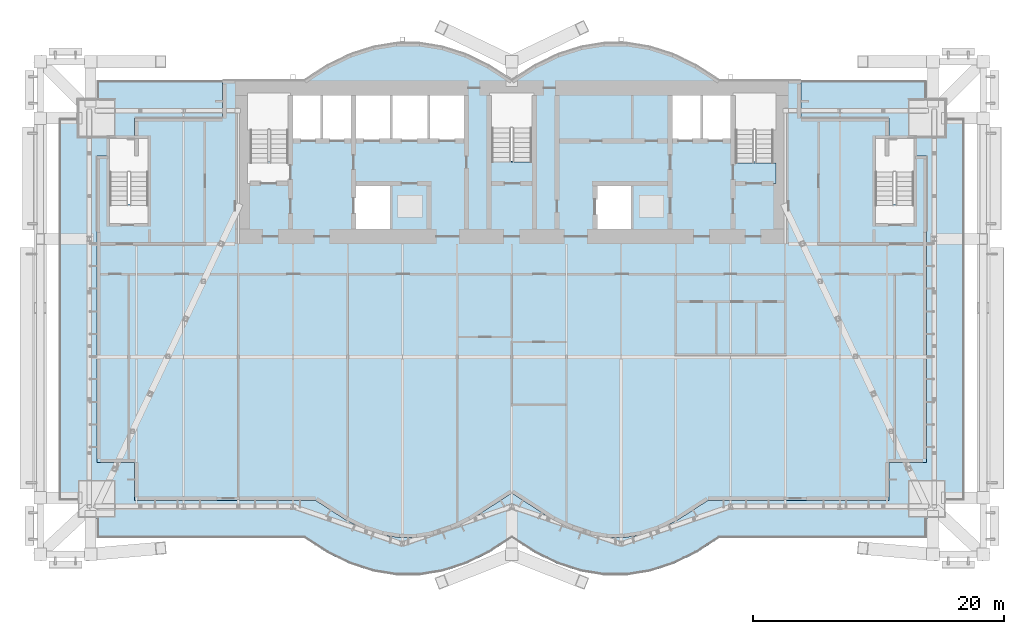
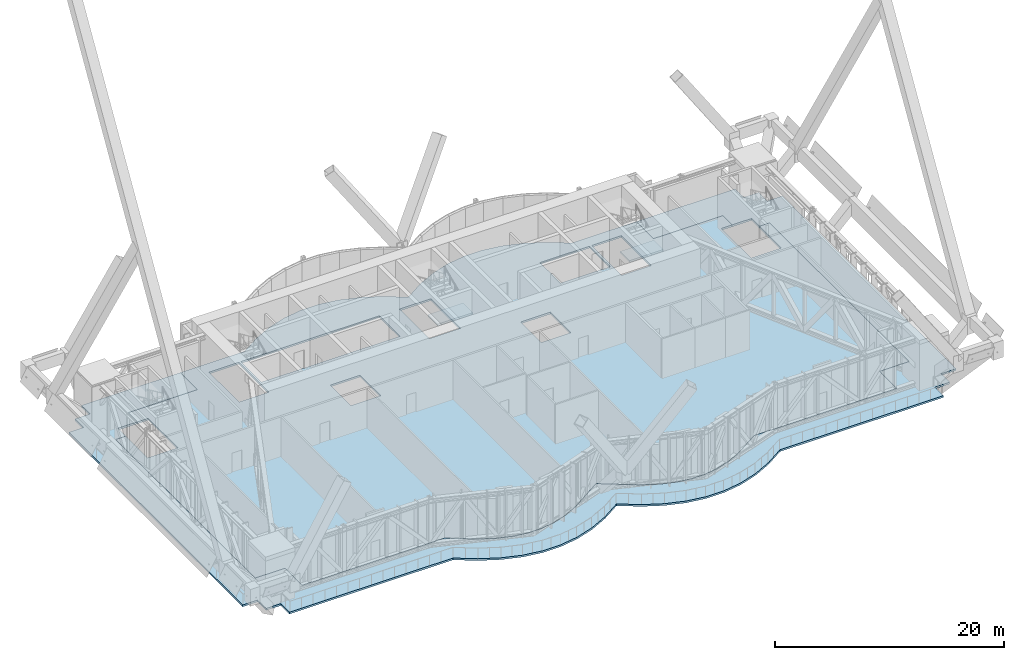
# One storey, part 21 of 32: 4 slabs, 2 elements without a shape of their own.
"""IFC4 building model written with IfcOpenShell, lengths in metres."""

from ifc_helpers import new_model, si_unit, direction, frame, origin, place, context, subcontext, project, spatial, polyline, outline, extrude, material, layer, layer_set, type_object, element, aggregate, save


model = new_model("IFC4")

# Units and contexts
model_context = context("Model", 3, precision=1e-05, world=origin(), true_north=direction((0.0, 1.0)))
body_context = subcontext(model_context, "Body", "Model", "MODEL_VIEW")
ifc_project = project(units=[si_unit("LENGTHUNIT", "METRE"), si_unit("AREAUNIT", "SQUARE_METRE"), si_unit("VOLUMEUNIT", "CUBIC_METRE"), si_unit("PLANEANGLEUNIT", "RADIAN"), si_unit("MASSUNIT", "GRAM", prefix="KILO")], contexts=[model_context])

# Site, building, storey
site_placement = place(None, origin())
site = spatial("IfcSite", under=ifc_project, at=site_placement, CompositionType="ELEMENT")
building_placement = place(site_placement, origin())
building = spatial("IfcBuilding", under=site, at=building_placement, Name="Bicima Exchange Tower", CompositionType="ELEMENT")
storey_placement = place(building_placement, frame((0.0, 0.0, 135.0)))
storey = spatial("IfcBuildingStorey", under=building, at=storey_placement, Name="L29", CompositionType="ELEMENT", Elevation=135.0)

# Slabs
ifc_material_1 = material(Name="Concrete C40/50", Category="concrete")
ifc_layer_1 = layer(ifc_material_1, 0.199951171875)
ifc_layer_set_1 = layer_set([ifc_layer_1], Name="Concrete C40/50")
slab_type_1 = type_object("IfcSlabType", Name="Composite refuge floor slab 200", PredefinedType="FLOOR", material=ifc_layer_set_1)
slab_1_placement = place(storey_placement, frame((0.0, 0.0, -0.199951171875)))
element("IfcSlab", 1, at=slab_1_placement, inside=storey, type_object=slab_type_1, Name="Floor slab", PredefinedType="FLOOR", context=body_context, shape_type="SweptSolid", body=[
    extrude(outline(polyline([(33.0, -6.0), (33.0, -30.387939453125), (30.0, -30.387939453125), (30.0, -33.387939453125), (15.61474609375, -33.387939453125), (13.1923828125, -34.9541015625), (11.712158203125, -35.671630859375), (10.295166015625, -36.129638671875), (8.92578125, -36.35107421875), (7.57421875, -36.35107421875), (6.204833984375, -36.129638671875), (4.787841796875, -35.671630859375), (3.3076171875, -34.9541015625), (0.0, -32.815673828125), (-3.3076171875, -34.9541015625), (-4.787841796875, -35.671630859375), (-6.204833984375, -36.129638671875), (-7.57421875, -36.35107421875), (-8.92578125, -36.35107421875), (-10.295166015625, -36.129638671875), (-11.712158203125, -35.671630859375), (-13.1923828125, -34.9541015625), (-15.61474609375, -33.387939453125), (-30.0, -33.387939453125), (-30.0, -30.387939453125), (-33.0, -30.387939453125), (-33.0, -6.0), (-31.97509765625, -6.0), (-31.97509765625, -9.824951171875), (-28.925048828125, -9.824951171875), (-28.925048828125, -4.625), (-30.0, -4.625), (-30.0, -3.0), (-23.0, -3.0), (-23.0, 0.0), (-16.5, 0.0), (-14.666748046875, 1.185302734375), (-12.833251953125, 2.07421875), (-11.0, 2.666748046875), (-9.166748046875, 2.962890625), (-7.333251953125, 2.962890625), (-5.5, 2.666748046875), (-3.666748046875, 2.07421875), (-1.833251953125, 1.185302734375), (0.0, 0.0), (1.833251953125, 1.185302734375), (3.666748046875, 2.07421875), (5.5, 2.666748046875), (7.333251953125, 2.962890625), (9.166748046875, 2.962890625), (11.0, 2.666748046875), (12.833251953125, 2.07421875), (14.666748046875, 1.185302734375), (16.5, 0.0), (23.0, 0.0), (23.0, -3.0), (30.0, -3.0), (30.0, -4.625), (28.925048828125, -4.625), (28.925048828125, -9.824951171875), (31.97509765625, -9.824951171875), (31.97509765625, -6.0), (33.0, -6.0)]), holes=[polyline([(-9.60009765625, -11.800048828125), (-9.60009765625, -8.199951171875), (-12.60009765625, -8.199951171875), (-12.60009765625, -11.800048828125), (-9.60009765625, -11.800048828125)]), polyline([(-20.800048828125, -6.449951171875), (-17.800048828125, -6.449951171875), (-17.800048828125, -1.199951171875), (-20.800048828125, -1.199951171875), (-20.800048828125, -6.449951171875)]), polyline([(-9.60009765625, -1.199951171875), (-12.60009765625, -1.199951171875), (-15.10009765625, -1.199951171875), (-17.60009765625, -1.199951171875), (-17.60009765625, -4.800048828125), (-15.10009765625, -4.800048828125), (-12.60009765625, -4.800048828125), (-9.60009765625, -4.800048828125), (-6.60009765625, -4.800048828125), (-3.60009765625, -4.800048828125), (-3.60009765625, -1.199951171875), (-6.60009765625, -1.199951171875), (-9.60009765625, -1.199951171875)]), polyline([(9.60009765625, -11.800048828125), (9.60009765625, -8.199951171875), (6.60009765625, -8.199951171875), (6.60009765625, -11.800048828125), (9.60009765625, -11.800048828125)]), polyline([(17.800048828125, -6.449951171875), (20.800048828125, -6.449951171875), (20.800048828125, -1.199951171875), (17.800048828125, -1.199951171875), (17.800048828125, -6.449951171875)]), polyline([(-1.574951171875, -6.39990234375), (1.574951171875, -6.39990234375), (1.574951171875, -1.199951171875), (-1.574951171875, -1.199951171875), (-1.574951171875, -6.39990234375)]), polyline([(17.60009765625, -4.800048828125), (17.60009765625, -1.199951171875), (15.10009765625, -1.199951171875), (12.60009765625, -1.199951171875), (12.60009765625, -4.800048828125), (15.10009765625, -4.800048828125), (17.60009765625, -4.800048828125)])]), origin(), (0.0, 0.0, 1.0), 0.199951171875),
])
slab_2_placement = place(storey_placement, frame((0.0, 0.0, -0.199951171875)))
element("IfcSlab", 2, at=slab_2_placement, inside=storey, type_object=slab_type_1, Name="Refuge terrace slab", PredefinedType="FLOOR", context=body_context, shape_type="SweptSolid", body=[
    extrude(outline(polyline([(30.0, -3.0), (23.0, -3.0), (23.0, 0.0), (33.0, 0.0), (33.0, -1.5), (34.5, -1.5), (34.5, -3.0), (36.0, -3.0), (36.0, -33.387939453125), (34.5, -33.387939453125), (34.5, -34.887939453125), (33.0, -34.887939453125), (33.0, -36.387939453125), (16.5, -36.387939453125), (14.666748046875, -37.5732421875), (12.833251953125, -38.462158203125), (11.0, -39.0546875), (9.166748046875, -39.35107421875), (7.333251953125, -39.35107421875), (5.5, -39.0546875), (3.666748046875, -38.462158203125), (1.833251953125, -37.5732421875), (0.0, -36.387939453125), (-1.833251953125, -37.5732421875), (-3.666748046875, -38.462158203125), (-5.5, -39.0546875), (-7.333251953125, -39.35107421875), (-9.166748046875, -39.35107421875), (-11.0, -39.0546875), (-12.833251953125, -38.462158203125), (-14.666748046875, -37.5732421875), (-16.5, -36.387939453125), (-33.0, -36.387939453125), (-33.0, -34.887939453125), (-34.5, -34.887939453125), (-34.5, -33.387939453125), (-36.0, -33.387939453125), (-36.0, -3.0), (-34.5, -3.0), (-34.5, -1.5), (-33.0, -1.5), (-33.0, 0.0), (-23.0, 0.0), (-23.0, -3.0), (-30.0, -3.0), (-30.0, -4.625), (-31.97509765625, -4.625), (-31.97509765625, -6.0), (-33.0, -6.0), (-33.0, -30.387939453125), (-30.0, -30.387939453125), (-30.0, -33.387939453125), (-15.61474609375, -33.387939453125), (-13.1923828125, -34.9541015625), (-11.712158203125, -35.671630859375), (-10.295166015625, -36.129638671875), (-8.92578125, -36.35107421875), (-7.57421875, -36.35107421875), (-6.204833984375, -36.129638671875), (-4.787841796875, -35.671630859375), (-3.3076171875, -34.9541015625), (0.0, -32.815673828125), (3.3076171875, -34.9541015625), (4.787841796875, -35.671630859375), (6.204833984375, -36.129638671875), (7.57421875, -36.35107421875), (8.92578125, -36.35107421875), (10.295166015625, -36.129638671875), (11.712158203125, -35.671630859375), (13.1923828125, -34.9541015625), (15.61474609375, -33.387939453125), (30.0, -33.387939453125), (30.0, -30.387939453125), (33.0, -30.387939453125), (33.0, -6.0), (31.97509765625, -6.0), (31.97509765625, -4.625), (30.0, -4.625), (30.0, -3.0)])), origin(), (0.0, 0.0, 1.0), 0.199951171875),
])

# Stair, slab
ifc_material_2 = material(Name="Concrete C50/60", Category="concrete")
stair_type_1 = type_object("IfcStairType", Name="Exit stair 1500", PredefinedType="HALF_TURN_STAIR", material=ifc_material_2)
stair_1_placement = place(storey_placement, origin())
stair_1 = element("IfcStair", 3, at=stair_1_placement, inside=storey, type_object=stair_type_1, Name="L29 Central exit stair", PredefinedType="HALF_TURN_STAIR")
ifc_layer_2 = layer(ifc_material_2, 0.199951171875)
ifc_layer_set_2 = layer_set([ifc_layer_2], Name="Concrete C50/60")
slab_type_2 = type_object("IfcSlabType", Name="Stair landing slab", PredefinedType="LANDING", material=ifc_layer_set_2)
slab_3_placement = place(storey_placement, frame((0.0, 0.0, 2.5)))
slab_3 = element("IfcSlab", 4, at=slab_3_placement, type_object=slab_type_2, Name="ST-C landing 2", PredefinedType="LANDING", context=body_context, shape_type="SweptSolid", body=[
    extrude(outline(polyline([(1.77490234375, -8.199951171875), (1.77490234375, -6.5), (-1.77490234375, -6.5), (-1.77490234375, -8.199951171875), (1.77490234375, -8.199951171875)])), origin(), (0.0, 0.0, 1.0), 0.199951171875),
])
aggregate(stair_1, [slab_3])

stair_type_2 = type_object("IfcStairType", Name="Exit stair", PredefinedType="HALF_TURN_STAIR", material=ifc_material_2)
stair_2_placement = place(storey_placement, origin())
stair_2 = element("IfcStair", 5, at=stair_2_placement, inside=storey, type_object=stair_type_2, Name="L29 East exit stair", PredefinedType="HALF_TURN_STAIR")
slab_4_placement = place(storey_placement, frame((0.0, 0.0, 2.5)))
slab_4 = element("IfcSlab", 6, at=slab_4_placement, type_object=slab_type_2, Name="ST-E landing 2", PredefinedType="LANDING", context=body_context, shape_type="SweptSolid", body=[
    extrude(outline(polyline([(21.0, -8.199951171875), (21.0, -6.550048828125), (17.60009765625, -6.550048828125), (17.60009765625, -8.199951171875), (21.0, -8.199951171875)])), origin(), (0.0, 0.0, 1.0), 0.199951171875),
])
aggregate(stair_2, [slab_4])

save(model, "model.ifc")
